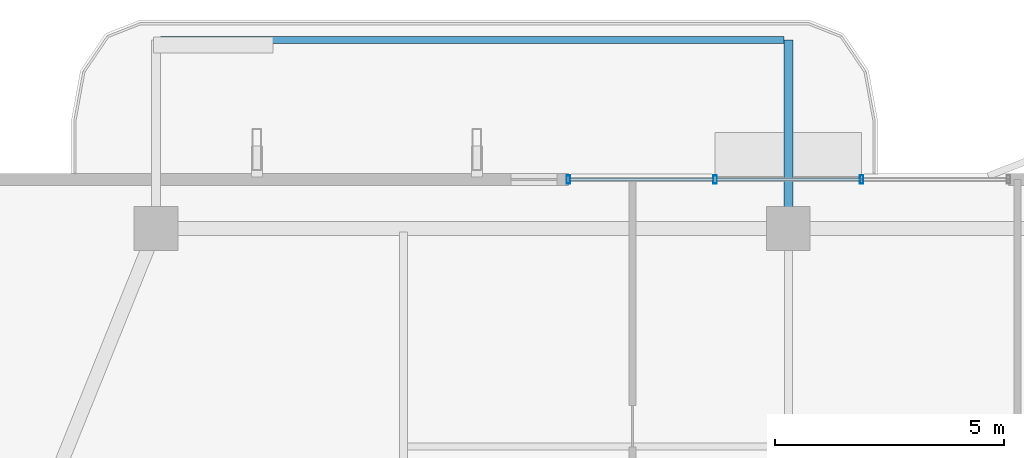
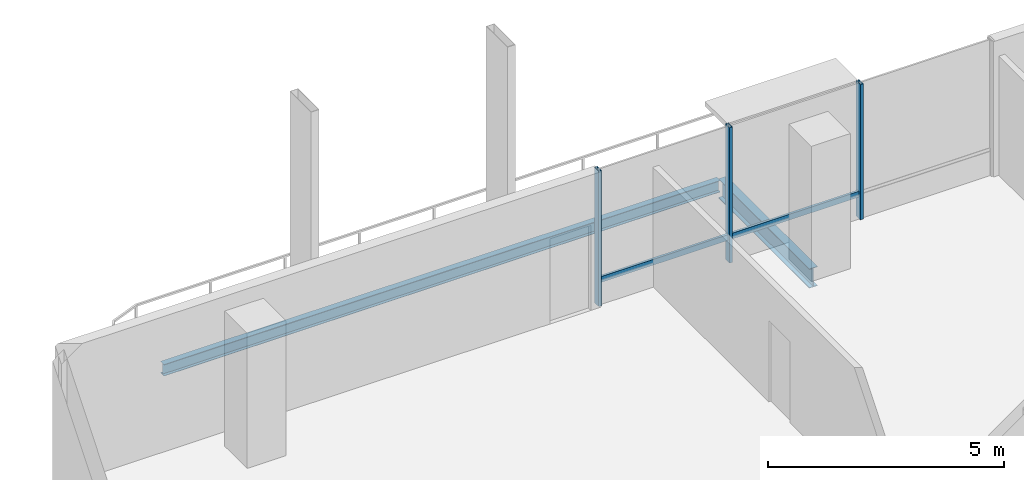
# One storey, part 13 of 25: 5 members, 2 beams, 1 element without a shape of its own.
"""IFC4 building model written with IfcOpenShell, lengths in metres."""

from ifc_helpers import new_model, si_unit, direction, frame, origin, origin_2d, place, context, subcontext, project, spatial, hollow_rectangle, i_section, extrude, material, layer, layer_set, material_profile, profile_set, type_object, element, aggregate, save


model = new_model("IFC4")

# Units and contexts
model_context = context("Model", 3, precision=1e-05, world=origin(), true_north=direction((0.0, 1.0)))
body_context = subcontext(model_context, "Body", "Model", "MODEL_VIEW")
ifc_project = project(units=[si_unit("LENGTHUNIT", "METRE"), si_unit("AREAUNIT", "SQUARE_METRE"), si_unit("VOLUMEUNIT", "CUBIC_METRE"), si_unit("PLANEANGLEUNIT", "RADIAN"), si_unit("MASSUNIT", "GRAM", prefix="KILO")], contexts=[model_context])

# Site, building, storey
site_placement = place(None, origin())
site = spatial("IfcSite", under=ifc_project, at=site_placement, CompositionType="ELEMENT")
building_placement = place(site_placement, origin())
building = spatial("IfcBuilding", under=site, at=building_placement, Name="Belovzor Exchange Tower", CompositionType="ELEMENT")
storey_placement = place(building_placement, frame((0.0, 0.0, 257.85009765625)))
storey = spatial("IfcBuildingStorey", under=building, at=storey_placement, Name="L64", CompositionType="ELEMENT", Elevation=257.85009765625)

# Beams
ifc_material_1 = material(Name="Steel S355", Category="steel")
ifc_material_profile_1 = material_profile(ifc_material_1, i_section(OverallWidth=0.199951171875, OverallDepth=0.5, WebThickness=0.01025390625, FlangeThickness=0.01611328125, at=origin_2d()))
ifc_profile_set_1 = profile_set([ifc_material_profile_1], Name="Steel S355")
beam_type_1 = type_object("IfcBeamType", Name="Planted Balcony Cantilever Beam IPE 500", PredefinedType="BEAM", material=ifc_profile_set_1)
beam_1_placement = place(storey_placement, frame((28.800048828125, 52.760986328125, -0.5), z_axis=(0.0, 1.0, 0.0), x_axis=(-1.0, 0.0, 0.0)))
element("IfcBeam", 1, at=beam_1_placement, inside=storey, type_object=beam_type_1, Name="BC-500 Planted Balcony Cantilever Beam IPE 500", PredefinedType="BEAM", context=body_context, shape_type="SweptSolid", body=[
    extrude(i_section(OverallWidth=0.199951171875, OverallDepth=0.5, WebThickness=0.01025390625, FlangeThickness=0.01611328125, at=origin_2d()), origin(), (0.0, 0.0, 1.0), 3.85009765625),
])
ifc_material_2 = material(Name="Steel S355", Category="steel")
ifc_material_profile_2 = material_profile(ifc_material_2, i_section(OverallWidth=0.14990234375, OverallDepth=0.300048828125, WebThickness=0.007080078125, FlangeThickness=0.0107421875, at=origin_2d()))
ifc_profile_set_2 = profile_set([ifc_material_profile_2], Name="Steel S355")
beam_type_2 = type_object("IfcBeamType", Name="Planted Balcony Fascia Edge Beam IPE 300", PredefinedType="BEAM", material=ifc_profile_set_2)
beam_2_placement = place(storey_placement, frame((28.699951171875, 56.611083984375, -0.400146484375), z_axis=(-1.0, 0.0, 0.0), x_axis=(0.0, -1.0, 0.0)))
element("IfcBeam", 2, at=beam_2_placement, inside=storey, type_object=beam_type_2, Name="BC-300 Planted Balcony Fascia Edge Beam IPE 300", PredefinedType="BEAM", context=body_context, shape_type="SweptSolid", body=[
    extrude(i_section(OverallWidth=0.14990234375, OverallDepth=0.300048828125, WebThickness=0.007080078125, FlangeThickness=0.0107421875, at=origin_2d()), origin(), (0.0, 0.0, 1.0), 13.599853515625),
])

# Curtain wall, members
ifc_material_3 = material(Name="Anodised Aluminium Framing", Category="aluminium")
ifc_layer = layer(ifc_material_3, 0.179931640625)
ifc_layer_set = layer_set([ifc_layer], Name="Anodised Aluminium Framing")
curtain_wall_type = type_object("IfcCurtainWallType", Name="Recessed Loggia Low-Iron Triple-Glazed Curtain Wall", PredefinedType="NOTDEFINED", material=ifc_layer_set)
curtain_wall_placement = place(storey_placement, origin())
curtain_wall = element("IfcCurtainWall", 3, at=curtain_wall_placement, inside=storey, type_object=curtain_wall_type, Name="CW3 Recessed Loggia Low-Iron Triple-Glazed Curtain Wall L64", PredefinedType="NOTDEFINED")
ifc_material_4 = material(Name="Steel S355", Category="steel")
ifc_material_profile_3 = material_profile(ifc_material_4, hollow_rectangle(XDim=0.074951171875, YDim=0.179931640625, WallThickness=0.0048828125, at=origin_2d()))
ifc_profile_set_3 = profile_set([ifc_material_profile_3], Name="Steel S355")
member_type_1 = type_object("IfcMemberType", Name="Thermally Broken Curtain Wall Mullion 180x75", PredefinedType="MULLION", material=ifc_profile_set_3)
member_1_placement = place(storey_placement, frame((24.0, 53.570068359375, 0.0), z_axis=(0.0, 0.0, 1.0), x_axis=(1.0, 0.0, 0.0)))
member_1 = element("IfcMember", 4, at=member_1_placement, type_object=member_type_1, Name="CW-M180 Curtain Wall Mullion 1", PredefinedType="MULLION", context=body_context, shape_type="SweptSolid", body=[
    extrude(hollow_rectangle(XDim=0.074951171875, YDim=0.179931640625, WallThickness=0.0048828125, at=origin_2d()), origin(), (0.0, 0.0, 1.0), 3.5),
])
member_2_placement = place(storey_placement, frame((27.199951171875, 53.570068359375, 0.0), z_axis=(0.0, 0.0, 1.0), x_axis=(1.0, 0.0, 0.0)))
member_2 = element("IfcMember", 5, at=member_2_placement, type_object=member_type_1, Name="CW-M180 Curtain Wall Mullion 2", PredefinedType="MULLION", context=body_context, shape_type="SweptSolid", body=[
    extrude(hollow_rectangle(XDim=0.074951171875, YDim=0.179931640625, WallThickness=0.0048828125, at=origin_2d()), origin(), (0.0, 0.0, 1.0), 3.5),
])
member_3_placement = place(storey_placement, frame((30.39990234375, 53.570068359375, 0.0), z_axis=(0.0, 0.0, 1.0), x_axis=(1.0, 0.0, 0.0)))
member_3 = element("IfcMember", 6, at=member_3_placement, type_object=member_type_1, Name="CW-M180 Curtain Wall Mullion 3", PredefinedType="MULLION", context=body_context, shape_type="SweptSolid", body=[
    extrude(hollow_rectangle(XDim=0.074951171875, YDim=0.179931640625, WallThickness=0.0048828125, at=origin_2d()), origin(), (0.0, 0.0, 1.0), 3.5),
])
ifc_material_5 = material(Name="Steel S355", Category="steel")
ifc_material_profile_4 = material_profile(ifc_material_5, hollow_rectangle(XDim=0.06005859375, YDim=0.14990234375, WallThickness=0.00390625, at=origin_2d()))
ifc_profile_set_4 = profile_set([ifc_material_profile_4], Name="Steel S355")
member_type_2 = type_object("IfcMemberType", Name="Thermally Broken Curtain Wall Transom 150x60", PredefinedType="USERDEFINED", material=ifc_profile_set_4)
member_4_placement = place(storey_placement, frame((24.008056640625, 53.570068359375, 0.6298828125), z_axis=(1.0, 0.0, 0.0), x_axis=(0.0, 1.0, 0.0)))
member_4 = element("IfcMember", 7, at=member_4_placement, type_object=member_type_2, Name="CW-T150 Curtain Wall Transom 1", ObjectType="TRANSOM", PredefinedType="USERDEFINED", context=body_context, shape_type="SweptSolid", body=[
    extrude(hollow_rectangle(XDim=0.06005859375, YDim=0.14990234375, WallThickness=0.00390625, at=origin_2d()), origin(), (0.0, 0.0, 1.0), 3.183837890625),
])
member_5_placement = place(storey_placement, frame((27.2080078125, 53.570068359375, 0.6298828125), z_axis=(1.0, 0.0, 0.0), x_axis=(0.0, 1.0, 0.0)))
member_5 = element("IfcMember", 8, at=member_5_placement, type_object=member_type_2, Name="CW-T150 Curtain Wall Transom 2", ObjectType="TRANSOM", PredefinedType="USERDEFINED", context=body_context, shape_type="SweptSolid", body=[
    extrude(hollow_rectangle(XDim=0.06005859375, YDim=0.14990234375, WallThickness=0.00390625, at=origin_2d()), origin(), (0.0, 0.0, 1.0), 3.18408203125),
])
aggregate(curtain_wall, [member_1, member_2, member_3, member_4, member_5])

save(model, "model.ifc")
